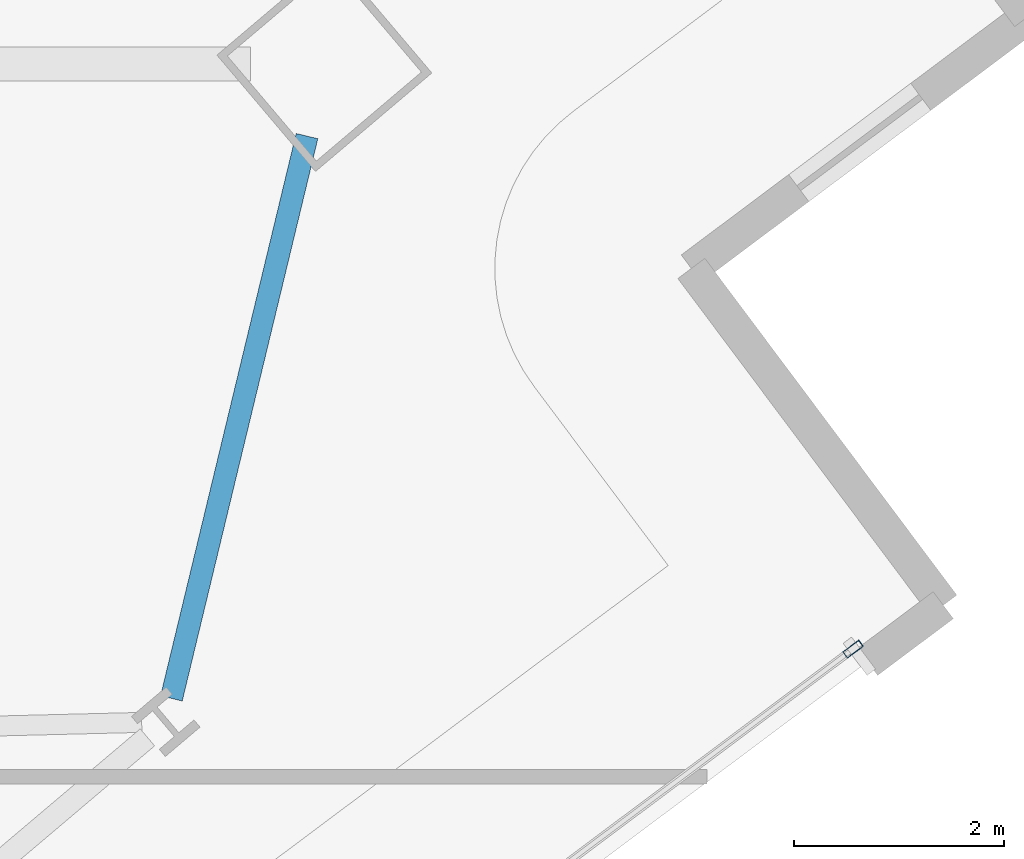
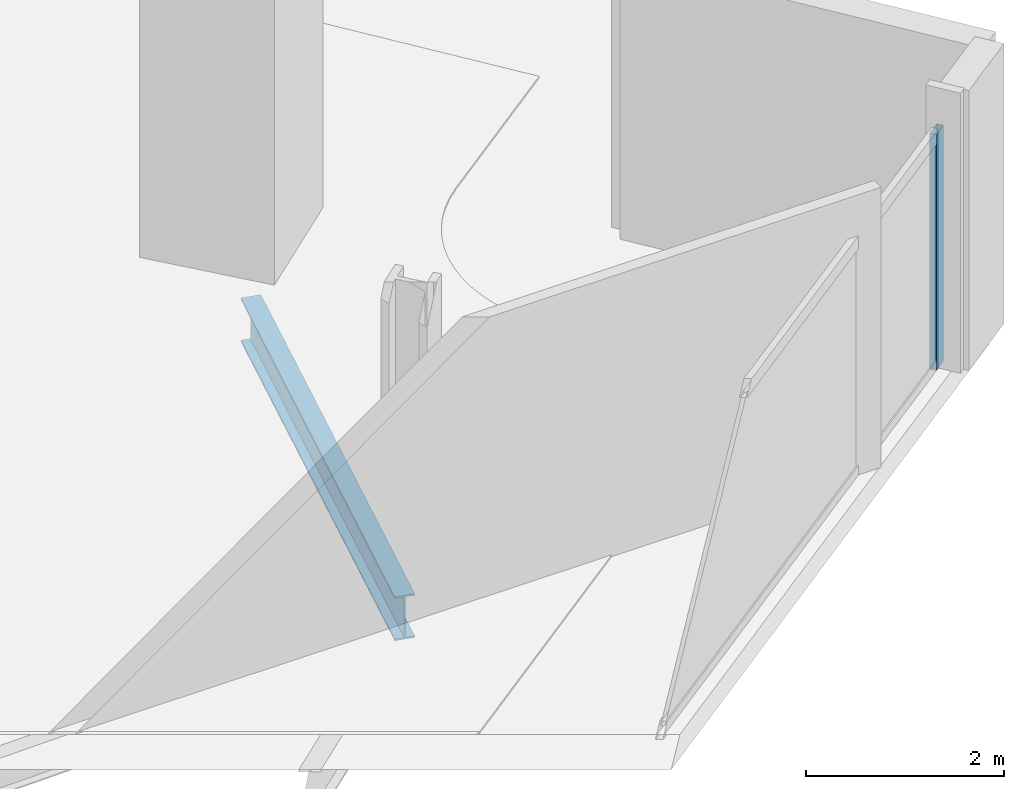
# One storey, part 11 of 32: 1 beam, 1 member, 1 element without a shape of its own.
"""IFC4 building model written with IfcOpenShell, lengths in metres."""

from ifc_helpers import new_model, si_unit, direction, frame, origin, origin_2d, place, context, subcontext, project, spatial, hollow_rectangle, i_section, extrude, material, material_profile, profile_set, type_object, element, aggregate, save


model = new_model("IFC4")

# Units and contexts
model_context = context("Model", 3, precision=1e-05, world=origin(), true_north=direction((0.0, 1.0)))
body_context = subcontext(model_context, "Body", "Model", "MODEL_VIEW")
ifc_project = project(units=[si_unit("LENGTHUNIT", "METRE"), si_unit("AREAUNIT", "SQUARE_METRE"), si_unit("VOLUMEUNIT", "CUBIC_METRE"), si_unit("PLANEANGLEUNIT", "RADIAN"), si_unit("MASSUNIT", "GRAM", prefix="KILO")], contexts=[model_context])

# Site, building, storey
site_placement = place(None, origin())
site = spatial("IfcSite", under=ifc_project, at=site_placement, CompositionType="ELEMENT")
building_placement = place(site_placement, origin())
building = spatial("IfcBuilding", under=site, at=building_placement, Name="Haldenkirk Collegiate Tower", CompositionType="ELEMENT")
storey_placement = place(building_placement, frame((0.0, 0.0, 151.949951171875)))
storey = spatial("IfcBuildingStorey", under=building, at=storey_placement, Name="L37", CompositionType="ELEMENT", Elevation=151.949951171875)

# Beam
ifc_material_1 = material(Name="Steel ASTM A992 Grade 50", Category="steel")
ifc_material_profile_1 = material_profile(ifc_material_1, i_section(OverallWidth=0.2119140625, OverallDepth=0.5439453125, WebThickness=0.01318359375, FlangeThickness=0.021240234375, at=origin_2d()), Name="W21X83")
ifc_profile_set_1 = profile_set([ifc_material_profile_1], Name="Steel ASTM A992 Grade 50")
beam_type = type_object("IfcBeamType", Name="BM-SPANDREL-W21X83", PredefinedType="SPANDREL", material=ifc_profile_set_1)
beam_placement = place(storey_placement, frame((60.010009765625, 18.595458984375, -0.56201171875), z_axis=(0.23444531808, 0.972129308698, 0.0), x_axis=(-0.972129308698, 0.23444531808, 0.0)))
element("IfcBeam", 1, at=beam_placement, inside=storey, type_object=beam_type, Name="L37 perimeter spandrel beam 04", PredefinedType="SPANDREL", context=body_context, shape_type="SweptSolid", body=[
    extrude(i_section(OverallWidth=0.2119140625, OverallDepth=0.5439453125, WebThickness=0.01318359375, FlangeThickness=0.021240234375, at=origin_2d()), origin(), (0.0, 0.0, 1.0), 5.50146484375),
])

# Curtain wall, member
ifc_material_2 = material(Name="Anodised architectural bronze aluminium", Category="aluminium")
curtain_wall_type = type_object("IfcCurtainWallType", Name="CW-SYS2-CONCAVE", PredefinedType="USERDEFINED", material=ifc_material_2)
curtain_wall_placement = place(storey_placement, origin())
curtain_wall = element("IfcCurtainWall", 2, at=curtain_wall_placement, inside=storey, type_object=curtain_wall_type, Name="L37 South concave recessed bronze-anodised curtain wall", ObjectType="UNITISED CURTAIN WALL", PredefinedType="USERDEFINED")
ifc_material_profile_2 = material_profile(ifc_material_2, hollow_rectangle(XDim=0.074951171875, YDim=0.18994140625, WallThickness=0.0048828125, at=origin_2d()), Name="CW-MUL-02")
ifc_profile_set_2 = profile_set([ifc_material_profile_2], Name="Anodised architectural bronze aluminium")
member_type = type_object("IfcMemberType", Name="CW-MUL-02", PredefinedType="MULLION", material=ifc_profile_set_2)
member_placement = place(storey_placement, frame((66.49365234375, 19.064208984375, 0.0), z_axis=(0.0, 0.0, 1.0), x_axis=(0.599025366751, -0.800730048136, 0.0)))
member = element("IfcMember", 3, at=member_placement, type_object=member_type, Name="CW-02 mullion 1", PredefinedType="MULLION", context=body_context, shape_type="SweptSolid", body=[
    extrude(hollow_rectangle(XDim=0.074951171875, YDim=0.18994140625, WallThickness=0.0048828125, at=origin_2d()), origin(), (0.0, 0.0, 1.0), 2.9111328125),
])
aggregate(curtain_wall, [member])

save(model, "model.ifc")
